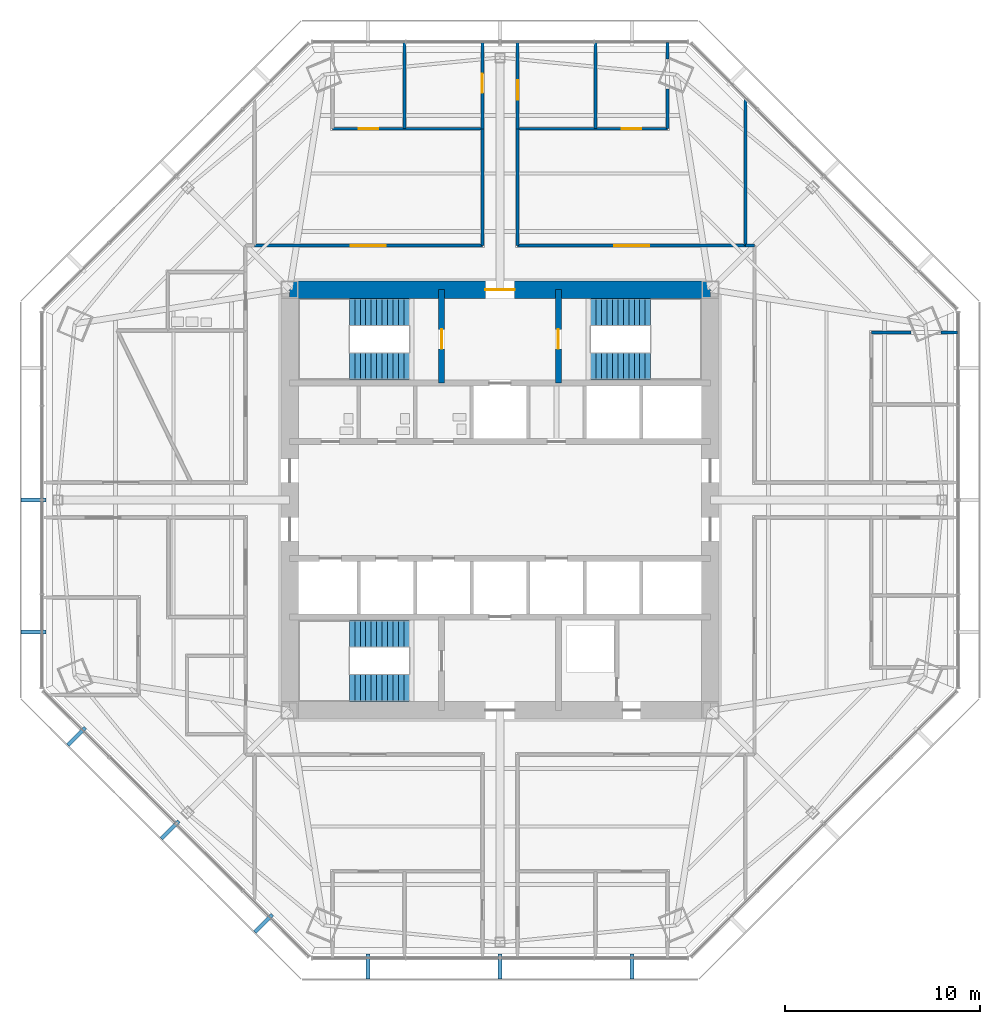
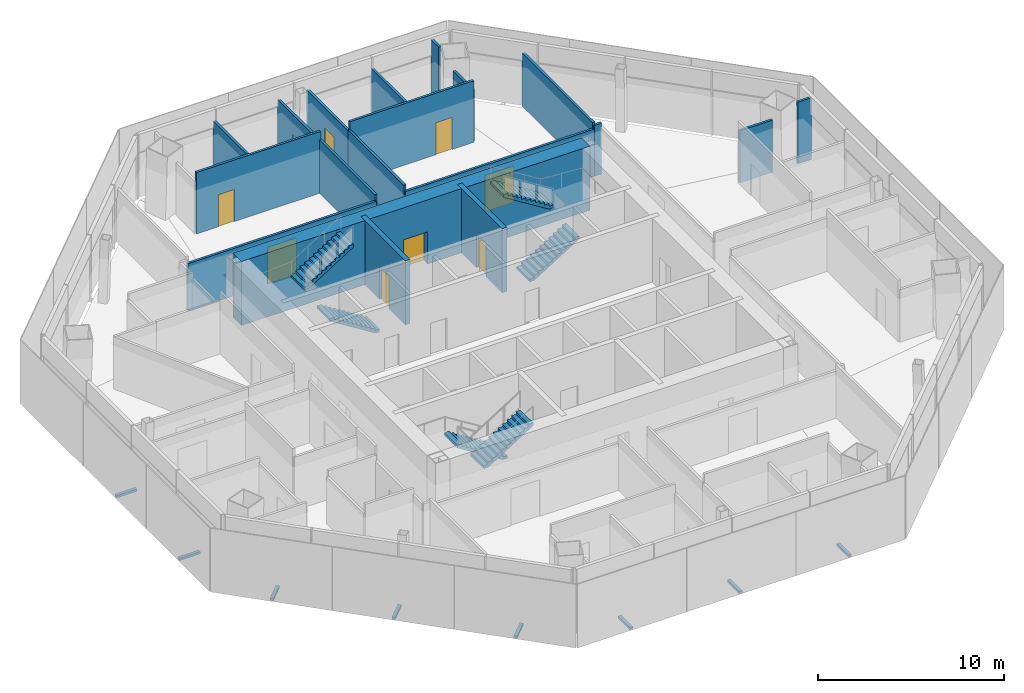
# One storey, part 11 of 15: 19 walls, 9 doors, 8 discrete accessories, 6 stair flights, 9 openings, 3 elements without a shape of their own.
"""IFC4 building model written with IfcOpenShell, lengths in metres."""

import ifcopenshell
import ifcopenshell.guid

model = None  # the IFC model being written
_history = None  # IfcOwnerHistory: only IFC2X3 demands one
_inside = {}  # id of a spatial element -> (the spatial element, [elements in it])
_under = {}  # id of a project, library or spatial element -> (it, [spatial elements below it])
_declared = {}  # id of a project -> (the project, [libraries it declares])
_typed = {}  # id of a type object -> (the type object, [elements of that type])
_made_of = {}  # id of a material, layer set ... -> (it, [elements and type objects made of it])


def new_model(schema):
    """Start an empty IFC model of exactly this schema.

    Asked for "IFC4X3", IfcOpenShell would pick the latest addendum, in which some entities
    have other attributes; the version numbers below select the first issue.
    IFC2X3 requires an IfcOwnerHistory on every rooted entity: one is made here for all.
    """
    global model, _history
    if schema == "IFC4X3":
        model = ifcopenshell.file(schema_version=(4, 3, 0, 0))
    else:
        model = ifcopenshell.file(schema=schema)
    _inside.clear()
    _under.clear()
    _declared.clear()
    _typed.clear()
    _made_of.clear()
    _history = None
    if model.schema == "IFC2X3":
        org = make("IfcOrganization", Name="unknown")
        user = make(
            "IfcPersonAndOrganization",
            ThePerson=make("IfcPerson", FamilyName="unknown"),
            TheOrganization=org,
        )
        app = make(
            "IfcApplication",
            ApplicationDeveloper=org,
            Version="unknown",
            ApplicationFullName="unknown",
            ApplicationIdentifier="unknown",
        )
        _history = make(
            "IfcOwnerHistory",
            OwningUser=user,
            OwningApplication=app,
            ChangeAction="ADDED",
            CreationDate=0,
        )
    return model


def make(cls, **values):
    """One entity of the class cls with the attributes given. An attribute that is None is left unset."""
    return model.create_entity(
        cls, **{name: value for name, value in values.items() if value is not None}
    )


def rooted(cls, **values):
    """An entity with a GlobalId (a new one), such as an element, a storey or a relation."""
    return make(cls, GlobalId=ifcopenshell.guid.new(), OwnerHistory=_history, **values)


def si_unit(unit_type, name, prefix=None):
    """IfcSIUnit, for example si_unit("LENGTHUNIT", "METRE", prefix="MILLI")."""
    return make("IfcSIUnit", UnitType=unit_type, Prefix=prefix, Name=name)


def assignment(units):
    """IfcUnitAssignment: the units of a project."""
    return None if units is None else make("IfcUnitAssignment", Units=units)


def point(xyz):
    """IfcCartesianPoint."""
    return None if xyz is None else make("IfcCartesianPoint", Coordinates=xyz)


def direction(xyz):
    """IfcDirection."""
    return None if xyz is None else make("IfcDirection", DirectionRatios=xyz)


def frame(location, z_axis=None, x_axis=None):
    """IfcAxis2Placement3D, a coordinate frame: its origin and axes. An axis left out is left unset."""
    return make(
        "IfcAxis2Placement3D",
        Location=point(location),
        Axis=direction(z_axis),
        RefDirection=direction(x_axis),
    )


def frame_2d(location, x_axis=None):
    """IfcAxis2Placement2D, a coordinate frame in the plane: its origin and x axis."""
    return make(
        "IfcAxis2Placement2D", Location=point(location), RefDirection=direction(x_axis)
    )


def origin():
    """The frame at (0, 0, 0) with its axes left unset."""
    return frame((0.0, 0.0, 0.0))


def origin_2d():
    """The frame at (0, 0) in the plane with its x axis left unset."""
    return frame_2d((0.0, 0.0))


def place(relative_to, where):
    """IfcLocalPlacement: puts the frame where relative to a parent placement (None: the world)."""
    return make(
        "IfcLocalPlacement", PlacementRelTo=relative_to, RelativePlacement=where
    )


def context(
    kind, dimensions, precision=None, world=None, true_north=None, identifier=None
):
    """IfcGeometricRepresentationContext, for example the 3D "Model" context."""
    return make(
        "IfcGeometricRepresentationContext",
        ContextIdentifier=identifier,
        ContextType=kind,
        CoordinateSpaceDimension=dimensions,
        Precision=precision,
        WorldCoordinateSystem=world,
        TrueNorth=true_north,
    )


def subcontext(parent, identifier, kind, view, scale=None):
    """IfcGeometricRepresentationSubContext, for example "Body" below "Model"."""
    return make(
        "IfcGeometricRepresentationSubContext",
        ContextIdentifier=identifier,
        ContextType=kind,
        ParentContext=parent,
        TargetScale=scale,
        TargetView=view,
    )


def project(units=None, contexts=None):
    """IfcProject with its units and contexts."""
    return rooted(
        "IfcProject",
        Name="project",
        RepresentationContexts=contexts,
        UnitsInContext=assignment(units),
    )


def spatial(cls, under=None, at=None, **own):
    """A site, building, storey or space (cls), placed at a placement, below another one or the project."""
    s = rooted(cls, ObjectPlacement=at, **own)
    if under is not None:
        _under.setdefault(under.id(), (under, []))[1].append(s)
    return s


def polyline(points):
    """IfcPolyline through the points."""
    return make("IfcPolyline", Points=[point(p) for p in points])


def profile(cls, at=None, kind="AREA", **sizes):
    """A parametric profile (cls). Its sizes go by their IFC names, for example OverallWidth=200.0."""
    return make(cls, ProfileType=kind, Position=at, **sizes)


def rectangle(**sizes):
    """IfcRectangleProfileDef."""
    return profile("IfcRectangleProfileDef", **sizes)


def outline(outer, holes=None, kind="AREA"):
    """IfcArbitraryClosedProfileDef: a profile drawn as a closed curve; with holes, ...WithVoids."""
    if holes is None:
        return make("IfcArbitraryClosedProfileDef", ProfileType=kind, OuterCurve=outer)
    return make(
        "IfcArbitraryProfileDefWithVoids",
        ProfileType=kind,
        OuterCurve=outer,
        InnerCurves=holes,
    )


def extrude(swept, where, along, depth):
    """IfcExtrudedAreaSolid: the profile swept, set in the frame where, extruded along a direction by depth."""
    return make(
        "IfcExtrudedAreaSolid",
        SweptArea=swept,
        Position=where,
        ExtrudedDirection=direction(along),
        Depth=depth,
    )


def shape(context_of_items, identifier, shape_type, items):
    """IfcShapeRepresentation: the items that make up one representation, for example the "Body"."""
    return make(
        "IfcShapeRepresentation",
        ContextOfItems=context_of_items,
        RepresentationIdentifier=identifier,
        RepresentationType=shape_type,
        Items=items,
    )


def source(mapping_origin, context_of_items, identifier, shape_type, items):
    """IfcRepresentationMap: a shape defined once, which mapped items show again and again."""
    return make(
        "IfcRepresentationMap",
        MappingOrigin=mapping_origin,
        MappedRepresentation=shape(context_of_items, identifier, shape_type, items),
    )


def transform(
    local_origin,
    x_axis=None,
    y_axis=None,
    z_axis=None,
    scale=None,
    scale2=None,
    scale3=None,
    uniform=True,
):
    """IfcCartesianTransformationOperator3D, or its non-uniform kind. x_axis, y_axis, z_axis: its Axis1, 2, 3."""
    if uniform:
        return make(
            "IfcCartesianTransformationOperator3D",
            Axis1=direction(x_axis),
            Axis2=direction(y_axis),
            LocalOrigin=point(local_origin),
            Scale=scale,
            Axis3=direction(z_axis),
        )
    return make(
        "IfcCartesianTransformationOperator3DnonUniform",
        Axis1=direction(x_axis),
        Axis2=direction(y_axis),
        LocalOrigin=point(local_origin),
        Scale=scale,
        Axis3=direction(z_axis),
        Scale2=scale2,
        Scale3=scale3,
    )


def mapped(mapping_source, mapping_target):
    """IfcMappedItem: shows the shape of a source again, moved by a transform."""
    return make(
        "IfcMappedItem", MappingSource=mapping_source, MappingTarget=mapping_target
    )


def material(Name=None, Category=None):
    """IfcMaterial."""
    return make("IfcMaterial", Name=Name, Category=Category)


def layer(
    of_material, thickness, ventilated=None, Name=None, Category=None, Priority=None
):
    """IfcMaterialLayer: one layer of a wall or slab, of a material (None: an air gap)."""
    return make(
        "IfcMaterialLayer",
        Material=of_material,
        LayerThickness=thickness,
        IsVentilated=ventilated,
        Name=Name,
        Category=Category,
        Priority=Priority,
    )


def layer_set(layers, Name=None):
    """IfcMaterialLayerSet."""
    return make("IfcMaterialLayerSet", MaterialLayers=layers, LayerSetName=Name)


def made_of(thing, what):
    """Note that an element or type object is made of a material, layer set ...; save() writes the relation."""
    if what is not None:
        _made_of.setdefault(what.id(), (what, []))[1].append(thing)
    return thing


def type_object(cls, material=None, **own):
    """A type object (cls), such as IfcWallType, which elements share."""
    return made_of(rooted(cls, **own), material)


def type_shapes(of_type, sources):
    """Give a type object the sources (RepresentationMaps) that its elements show as mapped items."""
    of_type.RepresentationMaps = sources


def element(
    cls,
    number,
    at=None,
    inside=None,
    cuts=None,
    type_object=None,
    material=None,
    context=None,
    identifier="Body",
    shape_type=None,
    held_by="IfcProductDefinitionShape",
    body=None,
    shapes=None,
    **own,
):
    """One element of the class cls, such as IfcWall. Its Tag is "e" and its number.

    at: its placement. inside: the storey or other place that contains it. cuts: it is an
    opening in that element (IfcRelVoidsElement). A single representation is given by context,
    identifier, shape_type and body (its items); several are given by shapes. held_by: the class
    of the entity that holds the representations. save() writes the other relations.
    """
    e = rooted(cls, Tag="e%d" % number, ObjectPlacement=at, **own)
    if body is not None:
        shapes = [shape(context, identifier, shape_type, body)]
    if shapes is not None:
        e.Representation = make(held_by, Representations=shapes)
    if inside is not None:
        _inside.setdefault(inside.id(), (inside, []))[1].append(e)
    if cuts is not None:
        rooted(
            "IfcRelVoidsElement", RelatingBuildingElement=cuts, RelatedOpeningElement=e
        )
    if type_object is not None:
        _typed.setdefault(type_object.id(), (type_object, []))[1].append(e)
    return made_of(e, material)


def fill(opening, filler):
    """IfcRelFillsElement: the door or window that sits in an opening."""
    return rooted(
        "IfcRelFillsElement",
        RelatingOpeningElement=opening,
        RelatedBuildingElement=filler,
    )


def aggregate(whole, parts):
    """IfcRelAggregates: a whole, such as a stair, and the parts it consists of."""
    return rooted("IfcRelAggregates", RelatingObject=whole, RelatedObjects=parts)


def save(model, path):
    """Write the relations noted so far, then the file.

    IfcRelAggregates (storeys below a building ...), IfcRelContainedInSpatialStructure (elements
    in a storey), IfcRelDefinesByType, IfcRelAssociatesMaterial and IfcRelDeclares: one each for
    every whole, place, type object, material and project.
    """
    for whole, parts in _under.values():
        aggregate(whole, parts)
    for where, things in _inside.values():
        rooted(
            "IfcRelContainedInSpatialStructure",
            RelatedElements=things,
            RelatingStructure=where,
        )
    for kind, things in _typed.values():
        rooted("IfcRelDefinesByType", RelatedObjects=things, RelatingType=kind)
    for what, things in _made_of.values():
        rooted("IfcRelAssociatesMaterial", RelatedObjects=things, RelatingMaterial=what)
    for by, libraries in _declared.values():
        rooted("IfcRelDeclares", RelatingContext=by, RelatedDefinitions=libraries)
    model.write(path)


model = new_model("IFC4")

# Units and contexts
model_context = context("Model", 3, precision=1e-05, world=origin(), true_north=direction((0.0, 1.0)))
body_context = subcontext(model_context, "Body", "Model", "MODEL_VIEW")
ifc_project = project(units=[si_unit("LENGTHUNIT", "METRE"), si_unit("AREAUNIT", "SQUARE_METRE"), si_unit("VOLUMEUNIT", "CUBIC_METRE"), si_unit("PLANEANGLEUNIT", "RADIAN"), si_unit("MASSUNIT", "GRAM", prefix="KILO")], contexts=[model_context])

# Site, building, storey
site_placement = place(None, origin())
site = spatial("IfcSite", under=ifc_project, at=site_placement, CompositionType="ELEMENT")
building_placement = place(site_placement, origin())
building = spatial("IfcBuilding", under=site, at=building_placement, Name="Mashrafa Tower", CompositionType="ELEMENT")
storey_placement = place(building_placement, frame((0.0, 0.0, 159.60009765625)))
storey = spatial("IfcBuildingStorey", under=building, at=storey_placement, Name="L36", CompositionType="ELEMENT", Elevation=159.60009765625)

# Wall, opening, door
ifc_material_1 = material(Name="Concrete C60/75", Category="concrete")
ifc_layer_1 = layer(ifc_material_1, 0.300048828125)
ifc_layer_set_1 = layer_set([ifc_layer_1], Name="Core wall 300 C60/75")
wall_type_1 = type_object("IfcWallType", Name="Core wall 300 C60/75", PredefinedType="SOLIDWALL", material=ifc_layer_set_1)
wall_1_placement = place(storey_placement, frame((-3.0, 6.0, 0.0), z_axis=(0.0, 0.0, 1.0), x_axis=(0.0, 1.0, 0.0)))
wall_1 = element("IfcWall", 1, at=wall_1_placement, inside=storey, type_object=wall_type_1, Name="Core wall CX-NW L36", PredefinedType="SOLIDWALL", context=body_context, shape_type="SweptSolid", body=[
    extrude(rectangle(XDim=4.800048828125, YDim=0.300048828125, at=frame_2d((2.39990234375, 0.0))), origin(), (0.0, 0.0, 1.0), 4.199951171875),
])
opening_1_placement = place(wall_1_placement, frame((1.75, 0.0, 0.0)))
opening_1 = element("IfcOpeningElement", 2, at=opening_1_placement, cuts=wall_1, Name="Opening 36.032", PredefinedType="OPENING", context=body_context, shape_type="SweptSolid", body=[
    extrude(rectangle(XDim=1.0, YDim=2.10009765625, at=frame_2d((0.5, 1.050048828125))), frame((0.0, 0.159912109375, 0.0), z_axis=(0.0, -1.0, 0.0), x_axis=(1.0, 0.0, 0.0)), (0.0, 0.0, 1.0), 0.320068359375),
])
ifc_material_2 = material(Name="Steel door", Category="steel")
door_type_1 = type_object("IfcDoorType", Name="Stair door 1000 x 2100 90 min", OperationType="USERDEFINED", PredefinedType="DOOR", material=ifc_material_2)
door_1_placement = place(opening_1_placement, origin())
door_1 = element("IfcDoor", 3, at=door_1_placement, inside=storey, type_object=door_type_1, Name="Stair S1 door L36", OperationType="SINGLE_SWING_LEFT", OverallHeight=2.10009765625, OverallWidth=1.0, PredefinedType="DOOR", context=body_context, shape_type="SweptSolid", body=[
    extrude(rectangle(XDim=1.0, YDim=2.10009765625, at=frame_2d((0.5, 1.050048828125))), frame((0.0, 0.02490234375, 0.0), z_axis=(0.0, -1.0, 0.0), x_axis=(1.0, 0.0, 0.0)), (0.0, 0.0, 1.0), 0.050048828125),
])
fill(opening_1, door_1)

wall_2_placement = place(storey_placement, frame((3.0, 6.0, 0.0), z_axis=(0.0, 0.0, 1.0), x_axis=(0.0, 1.0, 0.0)))
wall_2 = element("IfcWall", 4, at=wall_2_placement, inside=storey, type_object=wall_type_1, Name="Core wall CX-NE L36", PredefinedType="SOLIDWALL", context=body_context, shape_type="SweptSolid", body=[
    extrude(rectangle(XDim=4.800048828125, YDim=0.300048828125, at=frame_2d((2.39990234375, 0.0))), origin(), (0.0, 0.0, 1.0), 4.199951171875),
])
opening_2_placement = place(wall_2_placement, frame((1.75, 0.0, 0.0)))
opening_2 = element("IfcOpeningElement", 5, at=opening_2_placement, cuts=wall_2, Name="Opening 36.033", PredefinedType="OPENING", context=body_context, shape_type="SweptSolid", body=[
    extrude(rectangle(XDim=1.0, YDim=2.10009765625, at=frame_2d((0.5, 1.050048828125))), frame((0.0, 0.159912109375, 0.0), z_axis=(0.0, -1.0, 0.0), x_axis=(1.0, 0.0, 0.0)), (0.0, 0.0, 1.0), 0.320068359375),
])
door_2_placement = place(opening_2_placement, frame((1.0, 0.0, 0.0), z_axis=(0.0, 0.0, 1.0), x_axis=(-1.0, 0.0, 0.0)))
door_2 = element("IfcDoor", 6, at=door_2_placement, inside=storey, type_object=door_type_1, Name="Stair S2 door L36", OperationType="SINGLE_SWING_RIGHT", OverallHeight=2.10009765625, OverallWidth=1.0, PredefinedType="DOOR", context=body_context, shape_type="SweptSolid", body=[
    extrude(rectangle(XDim=1.0, YDim=2.10009765625, at=frame_2d((0.5, 1.050048828125))), frame((0.0, 0.02490234375, 0.0), z_axis=(0.0, -1.0, 0.0), x_axis=(1.0, 0.0, 0.0)), (0.0, 0.0, 1.0), 0.050048828125),
])
fill(opening_2, door_2)

ifc_material_3 = material(Name="Concrete C60/75", Category="concrete")
ifc_layer_2 = layer(ifc_material_3, 0.89990234375)
ifc_layer_set_2 = layer_set([ifc_layer_2], Name="Core wall 900 C60/75")
wall_type_2 = type_object("IfcWallType", Name="Core wall 900 C60/75", PredefinedType="SOLIDWALL", material=ifc_layer_set_2)
wall_3_placement = place(storey_placement, frame((10.800048828125, 10.800048828125, 0.0), z_axis=(0.0, 0.0, 1.0), x_axis=(-1.0, 0.0, 0.0)))
wall_3 = element("IfcWall", 7, at=wall_3_placement, inside=storey, type_object=wall_type_2, Name="Core wall CW-N L36", PredefinedType="SOLIDWALL", context=body_context, shape_type="SweptSolid", body=[
    extrude(rectangle(XDim=21.60009765625, YDim=0.89990234375, at=frame_2d((10.800048828125, 0.0))), origin(), (0.0, 0.0, 1.0), 4.199951171875),
])
opening_3_placement = place(wall_3_placement, frame((10.050048828125, 0.0, 0.0)))
opening_3 = element("IfcOpeningElement", 8, at=opening_3_placement, cuts=wall_3, Name="Opening 36.030", PredefinedType="OPENING", context=body_context, shape_type="SweptSolid", body=[
    extrude(rectangle(XDim=1.5, YDim=2.10009765625, at=frame_2d((0.75, 1.050048828125))), frame((0.0, 0.4599609375, 0.0), z_axis=(0.0, -1.0, 0.0), x_axis=(1.0, 0.0, 0.0)), (0.0, 0.0, 1.0), 0.919921875),
])
ifc_material_4 = material(Name="Steel door", Category="steel")
door_type_2 = type_object("IfcDoorType", Name="Lobby door pair 1500 x 2100 90 min", OperationType="DOUBLE_DOOR_SINGLE_SWING", PredefinedType="DOOR", material=ifc_material_4)
door_3_placement = place(opening_3_placement, origin())
door_3 = element("IfcDoor", 9, at=door_3_placement, inside=storey, type_object=door_type_2, Name="Fire-fighting lobby F1 door L36", OperationType="DOUBLE_DOOR_SINGLE_SWING", OverallHeight=2.10009765625, OverallWidth=1.5, PredefinedType="DOOR", context=body_context, shape_type="SweptSolid", body=[
    extrude(rectangle(XDim=1.5, YDim=2.10009765625, at=frame_2d((0.75, 1.050048828125))), frame((0.0, 0.02490234375, 0.0), z_axis=(0.0, -1.0, 0.0), x_axis=(1.0, 0.0, 0.0)), (0.0, 0.0, 1.0), 0.050048828125),
])
fill(opening_3, door_3)

ifc_material_5 = material(Name="Gypsum board on steel studs", Category="steel")
ifc_layer_3 = layer(ifc_material_5, 0.14990234375)
ifc_layer_set_3 = layer_set([ifc_layer_3], Name="Corridor partition 150 1 hr")
wall_type_3 = type_object("IfcWallType", Name="Corridor partition 150 1 hr", PredefinedType="PARTITIONING", material=ifc_layer_set_3)
wall_4_placement = place(storey_placement, frame((-0.89990234375, 23.48388671875, 0.0), z_axis=(0.0, 0.0, 1.0), x_axis=(0.0, -1.0, 0.0)))
wall_4 = element("IfcWall", 10, at=wall_4_placement, inside=storey, type_object=wall_type_3, Name="Corridor wall L36-006", PredefinedType="PARTITIONING", context=body_context, shape_type="SweptSolid", body=[
    extrude(rectangle(XDim=4.43505859375, YDim=0.14990234375, at=frame_2d((2.217529296875, 0.0))), origin(), (0.0, 0.0, 1.0), 3.4228515625),
])
opening_4_placement = place(wall_4_placement, frame((1.599609375, 0.0, 0.0)))
opening_4 = element("IfcOpeningElement", 11, at=opening_4_placement, cuts=wall_4, Name="Opening 36.007", PredefinedType="OPENING", context=body_context, shape_type="SweptSolid", body=[
    extrude(rectangle(XDim=1.0, YDim=2.10009765625, at=frame_2d((0.5, 1.050048828125))), frame((0.0, 0.0849609375, 0.0), z_axis=(0.0, -1.0, 0.0), x_axis=(1.0, 0.0, 0.0)), (0.0, 0.0, 1.0), 0.169921875),
])
ifc_material_6 = material(Name="Timber door", Category="wood")
door_type_3 = type_object("IfcDoorType", Name="Door 1000 x 2100", OperationType="USERDEFINED", PredefinedType="DOOR", material=ifc_material_6)
door_4_placement = place(opening_4_placement, frame((1.0, 0.0, 0.0), z_axis=(0.0, 0.0, 1.0), x_axis=(-1.0, 0.0, 0.0)))
door_4 = element("IfcDoor", 12, at=door_4_placement, inside=storey, type_object=door_type_3, Name="Serviced Office 36-NA-1 door", OperationType="SINGLE_SWING_RIGHT", OverallHeight=2.10009765625, OverallWidth=1.0, PredefinedType="DOOR", context=body_context, shape_type="SweptSolid", body=[
    extrude(rectangle(XDim=1.0, YDim=2.10009765625, at=frame_2d((0.5, 1.050048828125))), frame((0.0, 0.02490234375, 0.0), z_axis=(0.0, -1.0, 0.0), x_axis=(1.0, 0.0, 0.0)), (0.0, 0.0, 1.0), 0.050048828125),
])
fill(opening_4, door_4)

wall_5_placement = place(storey_placement, frame((0.89990234375, 19.048828125, 0.0), z_axis=(0.0, 0.0, 1.0), x_axis=(0.0, 1.0, 0.0)))
wall_5 = element("IfcWall", 13, at=wall_5_placement, inside=storey, type_object=wall_type_3, Name="Corridor wall L36-007", PredefinedType="PARTITIONING", context=body_context, shape_type="SweptSolid", body=[
    extrude(rectangle(XDim=4.43505859375, YDim=0.14990234375, at=frame_2d((2.217529296875, 0.0))), origin(), (0.0, 0.0, 1.0), 3.4228515625),
])
opening_5_placement = place(wall_5_placement, frame((1.50048828125, 0.0, 0.0)))
opening_5 = element("IfcOpeningElement", 14, at=opening_5_placement, cuts=wall_5, Name="Opening 36.010", PredefinedType="OPENING", context=body_context, shape_type="SweptSolid", body=[
    extrude(rectangle(XDim=1.0, YDim=2.10009765625, at=frame_2d((0.5, 1.050048828125))), frame((0.0, 0.0849609375, 0.0), z_axis=(0.0, -1.0, 0.0), x_axis=(1.0, 0.0, 0.0)), (0.0, 0.0, 1.0), 0.169921875),
])
door_5_placement = place(opening_5_placement, frame((1.0, 0.0, 0.0), z_axis=(0.0, 0.0, 1.0), x_axis=(-1.0, 0.0, 0.0)))
door_5 = element("IfcDoor", 15, at=door_5_placement, inside=storey, type_object=door_type_3, Name="Serviced Office 36-NB-2 door", OperationType="SINGLE_SWING_RIGHT", OverallHeight=2.10009765625, OverallWidth=1.0, PredefinedType="DOOR", context=body_context, shape_type="SweptSolid", body=[
    extrude(rectangle(XDim=1.0, YDim=2.10009765625, at=frame_2d((0.5, 1.050048828125))), frame((0.0, 0.02490234375, 0.0), z_axis=(0.0, -1.0, 0.0), x_axis=(1.0, 0.0, 0.0)), (0.0, 0.0, 1.0), 0.050048828125),
])
fill(opening_5, door_5)

# Wall
wall_6_placement = place(storey_placement, frame((13.050048828125, 13.050048828125, 0.0), z_axis=(0.0, 0.0, 1.0), x_axis=(-1.0, 0.0, 0.0)))
element("IfcWall", 16, at=wall_6_placement, inside=storey, type_object=wall_type_3, Name="Corridor wall L36-015", PredefinedType="PARTITIONING", context=body_context, shape_type="SweptSolid", body=[
    extrude(rectangle(XDim=0.450927734375, YDim=0.14990234375, at=frame_2d((0.2255859375, 0.0))), origin(), (0.0, 0.0, 1.0), 3.33154296875),
])

# Wall, opening, door
wall_7_placement = place(storey_placement, frame((12.60107421875, 13.050048828125, 0.0), z_axis=(0.0, 0.0, 1.0), x_axis=(-1.0, 0.0, 0.0)))
wall_7 = element("IfcWall", 17, at=wall_7_placement, inside=storey, type_object=wall_type_3, Name="Corridor wall L36-016", PredefinedType="PARTITIONING", context=body_context, shape_type="SweptSolid", body=[
    extrude(rectangle(XDim=11.701171875, YDim=0.14990234375, at=frame_2d((5.8505859375, 0.0))), origin(), (0.0, 0.0, 1.0), 3.097900390625),
])
opening_6_placement = place(wall_7_placement, frame((4.950439453125, 0.0, 0.0)))
opening_6 = element("IfcOpeningElement", 18, at=opening_6_placement, cuts=wall_7, Name="Opening 36.019", PredefinedType="OPENING", context=body_context, shape_type="SweptSolid", body=[
    extrude(rectangle(XDim=1.800048828125, YDim=2.39990234375, at=frame_2d((0.89990234375, 1.199951171875))), frame((0.0, 0.0849609375, 0.0), z_axis=(0.0, -1.0, 0.0), x_axis=(1.0, 0.0, 0.0)), (0.0, 0.0, 1.0), 0.169921875),
])
ifc_material_7 = material(Name="Timber door", Category="wood")
door_type_4 = type_object("IfcDoorType", Name="Door pair 1800 x 2400", OperationType="DOUBLE_DOOR_SINGLE_SWING", PredefinedType="DOOR", material=ifc_material_7)
door_6_placement = place(opening_6_placement, origin())
door_6 = element("IfcDoor", 19, at=door_6_placement, inside=storey, type_object=door_type_4, Name="Business Centre Lounge 36-NE2 door", OperationType="DOUBLE_DOOR_SINGLE_SWING", OverallHeight=2.39990234375, OverallWidth=1.800048828125, PredefinedType="DOOR", context=body_context, shape_type="SweptSolid", body=[
    extrude(rectangle(XDim=1.800048828125, YDim=2.39990234375, at=frame_2d((0.89990234375, 1.199951171875))), frame((0.0, 0.02490234375, 0.0), z_axis=(0.0, -1.0, 0.0), x_axis=(1.0, 0.0, 0.0)), (0.0, 0.0, 1.0), 0.050048828125),
])
fill(opening_6, door_6)

# Walls
for number, where, z_axis, x_axis, name in (
    (20, (0.89990234375, 13.050048828125, 0.0), (0.0, 0.0, 1.0), (0.0, 1.0, 0.0), "Corridor wall L36-017"),
    (21, (-0.89990234375, 19.05078125, 0.0), (0.0, 0.0, 1.0), (0.0, -1.0, 0.0), "Corridor wall L36-021"),
):
    element("IfcWall", number, at=place(storey_placement, frame(where, z_axis=z_axis, x_axis=x_axis)), inside=storey, type_object=wall_type_3, Name=name, PredefinedType="PARTITIONING", context=body_context, shape_type="SweptSolid", body=[
        extrude(rectangle(XDim=6.000732421875, YDim=0.14990234375, at=frame_2d((3.00048828125, 0.0))), origin(), (0.0, 0.0, 1.0), 3.491455078125),
    ])

# Wall, opening, door
wall_8_placement = place(storey_placement, frame((-0.89990234375, 13.050048828125, 0.0), z_axis=(0.0, 0.0, 1.0), x_axis=(-1.0, 0.0, 0.0)))
wall_8 = element("IfcWall", 22, at=wall_8_placement, inside=storey, type_object=wall_type_3, Name="Corridor wall L36-022", PredefinedType="PARTITIONING", context=body_context, shape_type="SweptSolid", body=[
    extrude(rectangle(XDim=11.701171875, YDim=0.14990234375, at=frame_2d((5.8505859375, 0.0))), origin(), (0.0, 0.0, 1.0), 3.097900390625),
])
opening_7_placement = place(wall_8_placement, frame((4.950439453125, 0.0, 0.0)))
opening_7 = element("IfcOpeningElement", 23, at=opening_7_placement, cuts=wall_8, Name="Opening 36.021", PredefinedType="OPENING", context=body_context, shape_type="SweptSolid", body=[
    extrude(rectangle(XDim=1.800048828125, YDim=2.39990234375, at=frame_2d((0.89990234375, 1.199951171875))), frame((0.0, 0.0849609375, 0.0), z_axis=(0.0, -1.0, 0.0), x_axis=(1.0, 0.0, 0.0)), (0.0, 0.0, 1.0), 0.169921875),
])
door_7_placement = place(opening_7_placement, origin())
door_7 = element("IfcDoor", 24, at=door_7_placement, inside=storey, type_object=door_type_4, Name="Business Centre Lounge 36-NW2 door", OperationType="DOUBLE_DOOR_SINGLE_SWING", OverallHeight=2.39990234375, OverallWidth=1.800048828125, PredefinedType="DOOR", context=body_context, shape_type="SweptSolid", body=[
    extrude(rectangle(XDim=1.800048828125, YDim=2.39990234375, at=frame_2d((0.89990234375, 1.199951171875))), frame((0.0, 0.02490234375, 0.0), z_axis=(0.0, -1.0, 0.0), x_axis=(1.0, 0.0, 0.0)), (0.0, 0.0, 1.0), 0.050048828125),
])
fill(opening_7, door_7)

# Walls
ifc_material_8 = material(Name="Gypsum board on steel studs", Category="steel")
ifc_layer_4 = layer(ifc_material_8, 0.14990234375)
ifc_layer_set_4 = layer_set([ifc_layer_4], Name="Partition 150")
wall_type_4 = type_object("IfcWallType", Name="Partition 150", PredefinedType="PARTITIONING", material=ifc_layer_set_4)
wall_9_placement = place(storey_placement, frame((23.48193359375, 8.60009765625, 0.0), z_axis=(0.0, 0.0, 1.0), x_axis=(-1.0, 0.0, 0.0)))
element("IfcWall", 25, at=wall_9_placement, inside=storey, type_object=wall_type_4, Name="Partition wall L36-041", PredefinedType="PARTITIONING", context=body_context, shape_type="SweptSolid", body=[
    extrude(rectangle(XDim=0.8408203125, YDim=0.14990234375, at=frame_2d((0.42041015625, 0.0))), origin(), (0.0, 0.0, 1.0), 4.034912109375),
])
wall_10_placement = place(storey_placement, frame((21.085693359375, 8.60009765625, 0.0), z_axis=(0.0, 0.0, 1.0), x_axis=(-1.0, 0.0, 0.0)))
element("IfcWall", 26, at=wall_10_placement, inside=storey, type_object=wall_type_4, Name="Partition wall L36-042", PredefinedType="PARTITIONING", context=body_context, shape_type="SweptSolid", body=[
    extrude(rectangle(XDim=2.035888671875, YDim=0.14990234375, at=frame_2d((1.01806640625, 0.0))), origin(), (0.0, 0.0, 1.0), 3.4228515625),
])
wall_11_placement = place(storey_placement, frame((-4.89990234375, 23.48193359375, 0.0), z_axis=(0.0, 0.0, 1.0), x_axis=(0.0, -1.0, 0.0)))
element("IfcWall", 27, at=wall_11_placement, inside=storey, type_object=wall_type_4, Name="Partition wall L36-049", PredefinedType="PARTITIONING", context=body_context, shape_type="SweptSolid", body=[
    extrude(rectangle(XDim=4.43212890625, YDim=0.14990234375, at=frame_2d((2.216064453125, 0.0))), origin(), (0.0, 0.0, 1.0), 3.4228515625),
])

# Wall, opening, door
wall_12_placement = place(storey_placement, frame((-0.89990234375, 19.0498046875, 0.0), z_axis=(0.0, 0.0, 1.0), x_axis=(-1.0, 0.0, 0.0)))
wall_12 = element("IfcWall", 28, at=wall_12_placement, inside=storey, type_object=wall_type_4, Name="Partition wall L36-050", PredefinedType="PARTITIONING", context=body_context, shape_type="SweptSolid", body=[
    extrude(rectangle(XDim=7.7001953125, YDim=0.14990234375, at=frame_2d((3.85009765625, 0.0))), origin(), (0.0, 0.0, 1.0), 4.034912109375),
])
opening_8_placement = place(wall_12_placement, frame((5.35009765625, 0.0, 0.0)))
opening_8 = element("IfcOpeningElement", 29, at=opening_8_placement, cuts=wall_12, Name="Opening 36.008", PredefinedType="OPENING", context=body_context, shape_type="SweptSolid", body=[
    extrude(rectangle(XDim=1.0, YDim=2.10009765625, at=frame_2d((0.5, 1.050048828125))), frame((0.0, 0.0849609375, 0.0), z_axis=(0.0, -1.0, 0.0), x_axis=(1.0, 0.0, 0.0)), (0.0, 0.0, 1.0), 0.169921875),
])
door_8_placement = place(opening_8_placement, frame((1.0, 0.0, 0.0), z_axis=(0.0, 0.0, 1.0), x_axis=(-1.0, 0.0, 0.0)))
door_8 = element("IfcDoor", 30, at=door_8_placement, inside=storey, type_object=door_type_3, Name="Serviced Office 36-NW2 door", OperationType="SINGLE_SWING_RIGHT", OverallHeight=2.10009765625, OverallWidth=1.0, PredefinedType="DOOR", context=body_context, shape_type="SweptSolid", body=[
    extrude(rectangle(XDim=1.0, YDim=2.10009765625, at=frame_2d((0.5, 1.050048828125))), frame((0.0, 0.02490234375, 0.0), z_axis=(0.0, -1.0, 0.0), x_axis=(1.0, 0.0, 0.0)), (0.0, 0.0, 1.0), 0.050048828125),
])
fill(opening_8, door_8)

# Wall
wall_13_placement = place(storey_placement, frame((4.89990234375, 23.48193359375, 0.0), z_axis=(0.0, 0.0, 1.0), x_axis=(0.0, -1.0, 0.0)))
element("IfcWall", 31, at=wall_13_placement, inside=storey, type_object=wall_type_4, Name="Partition wall L36-054", PredefinedType="PARTITIONING", context=body_context, shape_type="SweptSolid", body=[
    extrude(rectangle(XDim=4.43212890625, YDim=0.14990234375, at=frame_2d((2.216064453125, 0.0))), origin(), (0.0, 0.0, 1.0), 3.4228515625),
])

# Wall, opening, door
wall_14_placement = place(storey_placement, frame((8.60009765625, 19.0498046875, 0.0), z_axis=(0.0, 0.0, 1.0), x_axis=(-1.0, 0.0, 0.0)))
wall_14 = element("IfcWall", 32, at=wall_14_placement, inside=storey, type_object=wall_type_4, Name="Partition wall L36-055", PredefinedType="PARTITIONING", context=body_context, shape_type="SweptSolid", body=[
    extrude(rectangle(XDim=7.7001953125, YDim=0.14990234375, at=frame_2d((3.85009765625, 0.0))), origin(), (0.0, 0.0, 1.0), 4.034912109375),
])
opening_9_placement = place(wall_14_placement, frame((1.35009765625, 0.0, 0.0)))
opening_9 = element("IfcOpeningElement", 33, at=opening_9_placement, cuts=wall_14, Name="Opening 36.009", PredefinedType="OPENING", context=body_context, shape_type="SweptSolid", body=[
    extrude(rectangle(XDim=1.0, YDim=2.10009765625, at=frame_2d((0.5, 1.050048828125))), frame((0.0, 0.0849609375, 0.0), z_axis=(0.0, -1.0, 0.0), x_axis=(1.0, 0.0, 0.0)), (0.0, 0.0, 1.0), 0.169921875),
])
door_9_placement = place(opening_9_placement, frame((1.0, 0.0, 0.0), z_axis=(0.0, 0.0, 1.0), x_axis=(-1.0, 0.0, 0.0)))
door_9 = element("IfcDoor", 34, at=door_9_placement, inside=storey, type_object=door_type_3, Name="Serviced Office 36-NE2 door", OperationType="SINGLE_SWING_RIGHT", OverallHeight=2.10009765625, OverallWidth=1.0, PredefinedType="DOOR", context=body_context, shape_type="SweptSolid", body=[
    extrude(rectangle(XDim=1.0, YDim=2.10009765625, at=frame_2d((0.5, 1.050048828125))), frame((0.0, 0.02490234375, 0.0), z_axis=(0.0, -1.0, 0.0), x_axis=(1.0, 0.0, 0.0)), (0.0, 0.0, 1.0), 0.050048828125),
])
fill(opening_9, door_9)

# Walls
wall_15_placement = place(storey_placement, frame((8.60009765625, 19.0498046875, 0.0), z_axis=(0.0, 0.0, 1.0), x_axis=(0.0, 1.0, 0.0)))
element("IfcWall", 35, at=wall_15_placement, inside=storey, type_object=wall_type_4, Name="Partition wall L36-056", PredefinedType="PARTITIONING", context=body_context, shape_type="SweptSolid", body=[
    extrude(rectangle(XDim=2.035888671875, YDim=0.14990234375, at=frame_2d((1.01806640625, 0.0))), origin(), (0.0, 0.0, 1.0), 3.4228515625),
])
wall_16_placement = place(storey_placement, frame((8.60009765625, 22.64111328125, 0.0), z_axis=(0.0, 0.0, 1.0), x_axis=(0.0, 1.0, 0.0)))
element("IfcWall", 36, at=wall_16_placement, inside=storey, type_object=wall_type_4, Name="Partition wall L36-057", PredefinedType="PARTITIONING", context=body_context, shape_type="SweptSolid", body=[
    extrude(rectangle(XDim=0.8408203125, YDim=0.14990234375, at=frame_2d((0.42041015625, 0.0))), origin(), (0.0, 0.0, 1.0), 4.034912109375),
])
wall_17_placement = place(storey_placement, frame((12.60009765625, 20.610107421875, 0.0), z_axis=(0.0, 0.0, 1.0), x_axis=(0.0, -1.0, 0.0)))
element("IfcWall", 37, at=wall_17_placement, inside=storey, type_object=wall_type_4, Name="Partition wall L36-077", PredefinedType="PARTITIONING", context=body_context, shape_type="SweptSolid", body=[
    extrude(rectangle(XDim=7.56005859375, YDim=0.14990234375, at=frame_2d((3.780029296875, 0.0))), origin(), (0.0, 0.0, 1.0), 3.4990234375),
])

# Stair, stair flights
ifc_material_9 = material(Name="Exit stair 1400")
stair_type = type_object("IfcStairType", Name="Exit stair 1400", PredefinedType="HALF_TURN_STAIR", material=ifc_material_9)
stair_1_placement = place(storey_placement, origin())
stair_1 = element("IfcStair", 38, at=stair_1_placement, inside=storey, type_object=stair_type, Name="Stair S1 L36", PredefinedType="HALF_TURN_STAIR")
ifc_material_10 = material(Name="Concrete C32/40", Category="concrete")
stair_flight_type = type_object("IfcStairFlightType", Name="Stair flight 1400", PredefinedType="STRAIGHT", material=ifc_material_10)
stair_flight_1_placement = place(storey_placement, frame((-4.64990234375, 6.85009765625, 0.0), z_axis=(0.0, 0.0, 1.0), x_axis=(-1.0, 0.0, 0.0)))
stair_flight_1 = element("IfcStairFlight", 39, at=stair_flight_1_placement, type_object=stair_flight_type, Name="S1 flight 1", NumberOfRisers=12, NumberOfTreads=11, PredefinedType="STRAIGHT", RiserHeight=0.175, TreadLength=0.28, context=body_context, shape_type="SweptSolid", body=[
    extrude(outline(polyline([(0.0, 0.0), (0.0, 0.175048828125), (0.280029296875, 0.175048828125), (0.280029296875, 0.35009765625), (0.56005859375, 0.35009765625), (0.56005859375, 0.52490234375), (0.840087890625, 0.52490234375), (0.840087890625, 0.699951171875), (1.1201171875, 0.699951171875), (1.1201171875, 0.875), (1.39990234375, 0.875), (1.39990234375, 1.050048828125), (1.679931640625, 1.050048828125), (1.679931640625, 1.22509765625), (1.9599609375, 1.22509765625), (1.9599609375, 1.39990234375), (2.239990234375, 1.39990234375), (2.239990234375, 1.574951171875), (2.52001953125, 1.574951171875), (2.52001953125, 1.75), (2.800048828125, 1.75), (2.800048828125, 1.925048828125), (3.080078125, 1.925048828125), (3.080078125, 2.10009765625), (3.080078125, 1.748291015625), (0.28271484375, 0.0), (0.0, 0.0)])), frame((0.0, 0.699951171875, 0.0), z_axis=(0.0, -1.0, 0.0), x_axis=(1.0, 0.0, 0.0)), (0.0, 0.0, 1.0), 1.39990234375),
])
stair_flight_2_placement = place(storey_placement, frame((-7.72998046875, 9.64990234375, 2.099853515625), z_axis=(0.0, 0.0, 1.0), x_axis=(1.0, 0.0, 0.0)))
stair_flight_2 = element("IfcStairFlight", 40, at=stair_flight_2_placement, type_object=stair_flight_type, Name="S1 flight 2", NumberOfRisers=12, NumberOfTreads=11, PredefinedType="STRAIGHT", RiserHeight=0.175, TreadLength=0.28, context=body_context, shape_type="SweptSolid", body=[
    extrude(outline(polyline([(0.0, 0.0), (0.0, 0.175048828125), (0.280029296875, 0.175048828125), (0.280029296875, 0.35009765625), (0.56005859375, 0.35009765625), (0.56005859375, 0.52490234375), (0.840087890625, 0.52490234375), (0.840087890625, 0.699951171875), (1.1201171875, 0.699951171875), (1.1201171875, 0.875), (1.39990234375, 0.875), (1.39990234375, 1.050048828125), (1.679931640625, 1.050048828125), (1.679931640625, 1.22509765625), (1.9599609375, 1.22509765625), (1.9599609375, 1.39990234375), (2.239990234375, 1.39990234375), (2.239990234375, 1.574951171875), (2.52001953125, 1.574951171875), (2.52001953125, 1.75), (2.800048828125, 1.75), (2.800048828125, 1.925048828125), (3.080078125, 1.925048828125), (3.080078125, 2.10009765625), (3.080078125, 1.748291015625), (0.28271484375, 0.0), (0.0, 0.0)])), frame((0.0, 0.699951171875, 0.0), z_axis=(0.0, -1.0, 0.0), x_axis=(1.0, 0.0, 0.0)), (0.0, 0.0, 1.0), 1.39990234375),
])
aggregate(stair_1, [stair_flight_1, stair_flight_2])

stair_2_placement = place(storey_placement, origin())
stair_2 = element("IfcStair", 41, at=stair_2_placement, inside=storey, type_object=stair_type, Name="Stair S2 L36", PredefinedType="HALF_TURN_STAIR")
stair_flight_3_placement = place(storey_placement, frame((4.64990234375, 6.85009765625, 0.0), z_axis=(0.0, 0.0, 1.0), x_axis=(1.0, 0.0, 0.0)))
stair_flight_3 = element("IfcStairFlight", 42, at=stair_flight_3_placement, type_object=stair_flight_type, Name="S2 flight 1", NumberOfRisers=12, NumberOfTreads=11, PredefinedType="STRAIGHT", RiserHeight=0.175, TreadLength=0.28, context=body_context, shape_type="SweptSolid", body=[
    extrude(outline(polyline([(0.0, 0.0), (0.0, 0.175048828125), (0.280029296875, 0.175048828125), (0.280029296875, 0.35009765625), (0.56005859375, 0.35009765625), (0.56005859375, 0.52490234375), (0.840087890625, 0.52490234375), (0.840087890625, 0.699951171875), (1.1201171875, 0.699951171875), (1.1201171875, 0.875), (1.39990234375, 0.875), (1.39990234375, 1.050048828125), (1.679931640625, 1.050048828125), (1.679931640625, 1.22509765625), (1.9599609375, 1.22509765625), (1.9599609375, 1.39990234375), (2.239990234375, 1.39990234375), (2.239990234375, 1.574951171875), (2.52001953125, 1.574951171875), (2.52001953125, 1.75), (2.800048828125, 1.75), (2.800048828125, 1.925048828125), (3.080078125, 1.925048828125), (3.080078125, 2.10009765625), (3.080078125, 1.748291015625), (0.28271484375, 0.0), (0.0, 0.0)])), frame((0.0, 0.699951171875, 0.0), z_axis=(0.0, -1.0, 0.0), x_axis=(1.0, 0.0, 0.0)), (0.0, 0.0, 1.0), 1.39990234375),
])
stair_flight_4_placement = place(storey_placement, frame((7.72998046875, 9.64990234375, 2.099853515625), z_axis=(0.0, 0.0, 1.0), x_axis=(-1.0, 0.0, 0.0)))
stair_flight_4 = element("IfcStairFlight", 43, at=stair_flight_4_placement, type_object=stair_flight_type, Name="S2 flight 2", NumberOfRisers=12, NumberOfTreads=11, PredefinedType="STRAIGHT", RiserHeight=0.175, TreadLength=0.28, context=body_context, shape_type="SweptSolid", body=[
    extrude(outline(polyline([(0.0, 0.0), (0.0, 0.175048828125), (0.280029296875, 0.175048828125), (0.280029296875, 0.35009765625), (0.56005859375, 0.35009765625), (0.56005859375, 0.52490234375), (0.840087890625, 0.52490234375), (0.840087890625, 0.699951171875), (1.1201171875, 0.699951171875), (1.1201171875, 0.875), (1.39990234375, 0.875), (1.39990234375, 1.050048828125), (1.679931640625, 1.050048828125), (1.679931640625, 1.22509765625), (1.9599609375, 1.22509765625), (1.9599609375, 1.39990234375), (2.239990234375, 1.39990234375), (2.239990234375, 1.574951171875), (2.52001953125, 1.574951171875), (2.52001953125, 1.75), (2.800048828125, 1.75), (2.800048828125, 1.925048828125), (3.080078125, 1.925048828125), (3.080078125, 2.10009765625), (3.080078125, 1.748291015625), (0.28271484375, 0.0), (0.0, 0.0)])), frame((0.0, 0.699951171875, 0.0), z_axis=(0.0, -1.0, 0.0), x_axis=(1.0, 0.0, 0.0)), (0.0, 0.0, 1.0), 1.39990234375),
])
aggregate(stair_2, [stair_flight_3, stair_flight_4])

stair_3_placement = place(storey_placement, origin())
stair_3 = element("IfcStair", 44, at=stair_3_placement, inside=storey, type_object=stair_type, Name="Stair S3 L36", PredefinedType="HALF_TURN_STAIR")
stair_flight_5_placement = place(storey_placement, frame((-4.64990234375, -6.85009765625, 0.0), z_axis=(0.0, 0.0, 1.0), x_axis=(-1.0, 0.0, 0.0)))
stair_flight_5 = element("IfcStairFlight", 45, at=stair_flight_5_placement, type_object=stair_flight_type, Name="S3 flight 1", NumberOfRisers=12, NumberOfTreads=11, PredefinedType="STRAIGHT", RiserHeight=0.175, TreadLength=0.28, context=body_context, shape_type="SweptSolid", body=[
    extrude(outline(polyline([(0.0, 0.0), (0.0, 0.175048828125), (0.280029296875, 0.175048828125), (0.280029296875, 0.35009765625), (0.56005859375, 0.35009765625), (0.56005859375, 0.52490234375), (0.840087890625, 0.52490234375), (0.840087890625, 0.699951171875), (1.1201171875, 0.699951171875), (1.1201171875, 0.875), (1.39990234375, 0.875), (1.39990234375, 1.050048828125), (1.679931640625, 1.050048828125), (1.679931640625, 1.22509765625), (1.9599609375, 1.22509765625), (1.9599609375, 1.39990234375), (2.239990234375, 1.39990234375), (2.239990234375, 1.574951171875), (2.52001953125, 1.574951171875), (2.52001953125, 1.75), (2.800048828125, 1.75), (2.800048828125, 1.925048828125), (3.080078125, 1.925048828125), (3.080078125, 2.10009765625), (3.080078125, 1.748291015625), (0.28271484375, 0.0), (0.0, 0.0)])), frame((0.0, 0.699951171875, 0.0), z_axis=(0.0, -1.0, 0.0), x_axis=(1.0, 0.0, 0.0)), (0.0, 0.0, 1.0), 1.39990234375),
])
stair_flight_6_placement = place(storey_placement, frame((-7.72998046875, -9.64990234375, 2.099853515625), z_axis=(0.0, 0.0, 1.0), x_axis=(1.0, 0.0, 0.0)))
stair_flight_6 = element("IfcStairFlight", 46, at=stair_flight_6_placement, type_object=stair_flight_type, Name="S3 flight 2", NumberOfRisers=12, NumberOfTreads=11, PredefinedType="STRAIGHT", RiserHeight=0.175, TreadLength=0.28, context=body_context, shape_type="SweptSolid", body=[
    extrude(outline(polyline([(0.0, 0.0), (0.0, 0.175048828125), (0.280029296875, 0.175048828125), (0.280029296875, 0.35009765625), (0.56005859375, 0.35009765625), (0.56005859375, 0.52490234375), (0.840087890625, 0.52490234375), (0.840087890625, 0.699951171875), (1.1201171875, 0.699951171875), (1.1201171875, 0.875), (1.39990234375, 0.875), (1.39990234375, 1.050048828125), (1.679931640625, 1.050048828125), (1.679931640625, 1.22509765625), (1.9599609375, 1.22509765625), (1.9599609375, 1.39990234375), (2.239990234375, 1.39990234375), (2.239990234375, 1.574951171875), (2.52001953125, 1.574951171875), (2.52001953125, 1.75), (2.800048828125, 1.75), (2.800048828125, 1.925048828125), (3.080078125, 1.925048828125), (3.080078125, 2.10009765625), (3.080078125, 1.748291015625), (0.28271484375, 0.0), (0.0, 0.0)])), frame((0.0, 0.699951171875, 0.0), z_axis=(0.0, -1.0, 0.0), x_axis=(1.0, 0.0, 0.0)), (0.0, 0.0, 1.0), 1.39990234375),
])
aggregate(stair_3, [stair_flight_5, stair_flight_6])

# Discrete accessories
ifc_material_11 = material(Name="Stainless steel screen bracket", Category="steel")
discrete_accessory_type = type_object("IfcDiscreteAccessoryType", Name="Screen support bracket 200 x 150", PredefinedType="BRACKET", material=ifc_material_11)
shared_shape = source(origin(), body_context, "Body", "SweptSolid", [
    extrude(rectangle(XDim=0.199951171875, YDim=1.27001953125, at=origin_2d()), origin(), (0.0, 0.0, 1.0), 0.14990234375),
])
type_shapes(discrete_accessory_type, [shared_shape])
for number, where, z_axis, x_axis, name in (
    (47, (-23.934814453125, 0.0, -0.150146484375), (0.0, 0.0, 1.0), (0.0, -1.0, 0.0), "Screen support bracket L36 west 2"),
    (48, (-23.934814453125, -6.778076171875, -0.150146484375), (0.0, 0.0, 1.0), (0.0, -1.0, 0.0), "Screen support bracket L36 west 3"),
    (49, (-21.71728515625, -12.131591796875, -0.150146484375), (0.0, 0.0, 1.0), (0.707106781187, -0.707106781187, 0.0), "Screen support bracket L36 south-west 1"),
    (50, (-16.924560546875, -16.924560546875, -0.150146484375), (0.0, 0.0, 1.0), (0.707106781187, -0.707106781187, 0.0), "Screen support bracket L36 south-west 2"),
    (51, (-12.131591796875, -21.71728515625, -0.150146484375), (0.0, 0.0, 1.0), (0.707106781187, -0.707106781187, 0.0), "Screen support bracket L36 south-west 3"),
    (52, (-6.778076171875, -23.934814453125, -0.150146484375), (0.0, 0.0, 1.0), (1.0, 0.0, 0.0), "Screen support bracket L36 south 1"),
    (53, (0.0, -23.934814453125, -0.150146484375), (0.0, 0.0, 1.0), (1.0, 0.0, 0.0), "Screen support bracket L36 south 2"),
    (54, (6.778076171875, -23.934814453125, -0.150146484375), (0.0, 0.0, 1.0), (1.0, 0.0, 0.0), "Screen support bracket L36 south 3"),
):
    element("IfcDiscreteAccessory", number, at=place(storey_placement, frame(where, z_axis=z_axis, x_axis=x_axis)), inside=storey, type_object=discrete_accessory_type, Name=name, PredefinedType="BRACKET", context=body_context, shape_type="MappedRepresentation", body=[
        mapped(shared_shape, transform((0.0, 0.0, 0.0))),
    ])

save(model, "model.ifc")
